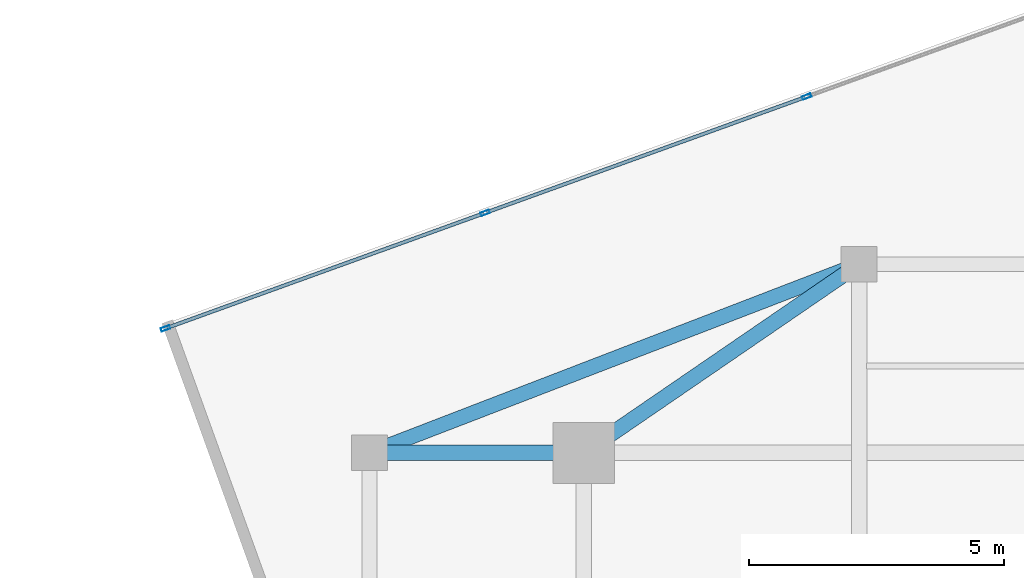
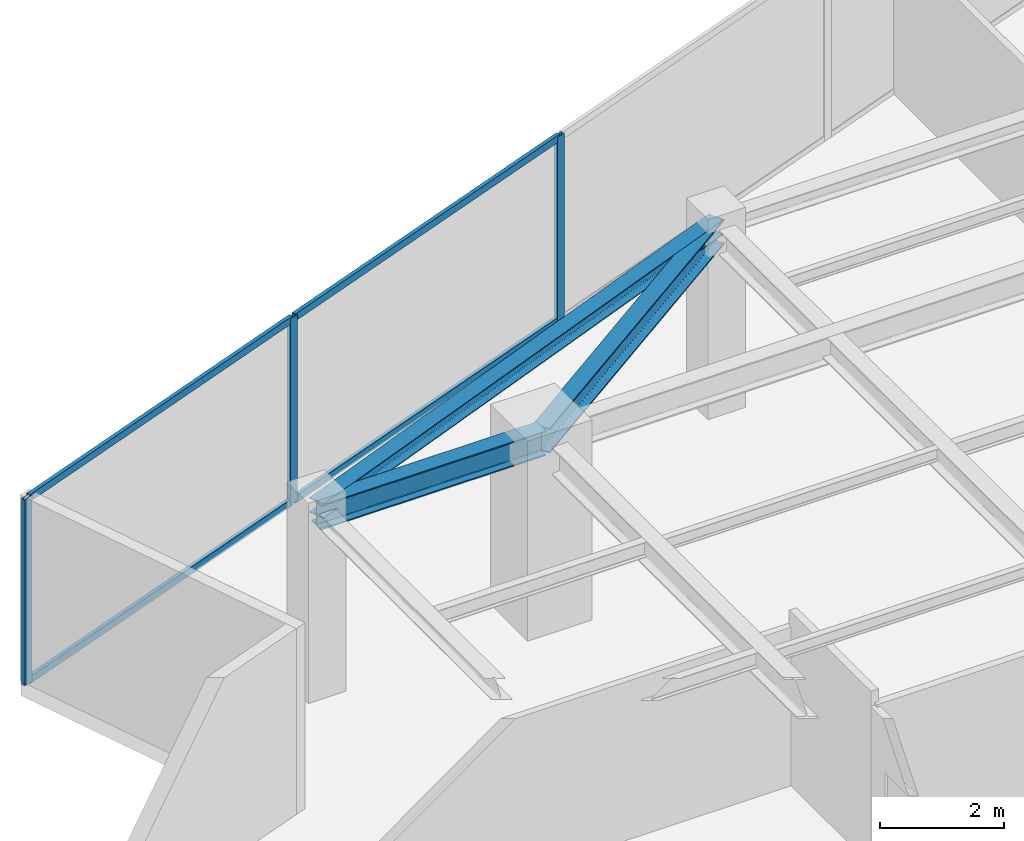
# One storey, part 13 of 21: 7 members, 3 beams, 1 element without a shape of its own.
"""IFC4 building model written with IfcOpenShell, lengths in metres."""

from ifc_helpers import new_model, si_unit, direction, frame, origin, origin_2d, place, context, subcontext, project, spatial, hollow_rectangle, i_section, extrude, source, transform, mapped, material, material_profile, profile_set, type_object, type_shapes, element, aggregate, save


model = new_model("IFC4")

# Units and contexts
model_context = context("Model", 3, precision=1e-05, world=origin(), true_north=direction((0.0, 1.0)))
body_context = subcontext(model_context, "Body", "Model", "MODEL_VIEW")
ifc_project = project(units=[si_unit("LENGTHUNIT", "METRE"), si_unit("AREAUNIT", "SQUARE_METRE"), si_unit("VOLUMEUNIT", "CUBIC_METRE"), si_unit("PLANEANGLEUNIT", "RADIAN"), si_unit("MASSUNIT", "GRAM", prefix="KILO")], contexts=[model_context])

# Site, building, storey
site_placement = place(None, origin())
site = spatial("IfcSite", under=ifc_project, at=site_placement, CompositionType="ELEMENT")
building_placement = place(site_placement, origin())
building = spatial("IfcBuilding", under=site, at=building_placement, Name="Krantzveldt Concourse Tower", CompositionType="ELEMENT")
storey_placement = place(building_placement, frame((0.0, 0.0, 331.64990234375)))
storey = spatial("IfcBuildingStorey", under=building, at=storey_placement, Name="L81", CompositionType="ELEMENT", Elevation=331.64990234375)

# Beams
ifc_material_1 = material(Name="Steel S355JR", Category="steel")
ifc_material_profile_1 = material_profile(ifc_material_1, i_section(OverallWidth=0.300048828125, OverallDepth=0.489990234375, WebThickness=0.011962890625, FlangeThickness=0.02294921875, FilletRadius=0.027099609375, at=origin_2d()), Name="Steel S355JR", Category="steel")
ifc_profile_set_1 = profile_set([ifc_material_profile_1], Name="Steel S355JR - HEA 500")
beam_type_1 = type_object("IfcBeamType", Name="BM-B-HEA500", PredefinedType="BEAM", material=ifc_profile_set_1)
shared_shape_1 = source(origin(), body_context, "Body", "SweptSolid", [
    extrude(i_section(OverallWidth=0.300048828125, OverallDepth=0.489990234375, WebThickness=0.011962890625, FlangeThickness=0.02294921875, FilletRadius=0.027099609375, at=origin_2d()), origin(), (0.0, 0.0, 1.0), 4.199951171875),
])
beam_1_placement = place(storey_placement, frame((21.0, 37.5, 3.425048828125), z_axis=(1.0, 0.0, 0.0), x_axis=(0.0, 1.0, 0.0)))
element("IfcBeam", 1, at=beam_1_placement, inside=storey, type_object=beam_type_1, Name="L81 Tower Girder BR-RL3", PredefinedType="BEAM", context=body_context, shape_type="MappedRepresentation", body=[
    mapped(shared_shape_1, transform((0.0, 0.0, 0.0), x_axis=(1.0, 0.0, 0.0), y_axis=(0.0, 1.0, 0.0), z_axis=(0.0, 0.0, 1.0), scale=1.0)),
])
shared_shape_2 = source(origin(), body_context, "Body", "SweptSolid", [
    extrude(i_section(OverallWidth=0.300048828125, OverallDepth=0.489990234375, WebThickness=0.011962890625, FlangeThickness=0.02294921875, FilletRadius=0.027099609375, at=origin_2d()), origin(), (0.0, 0.0, 1.0), 6.546142578125),
])
type_shapes(beam_type_1, [shared_shape_1, shared_shape_2])
beam_2_placement = place(storey_placement, frame((25.199951171875, 37.5, 3.425048828125), z_axis=(0.824942999484, 0.565215930068, 0.0), x_axis=(-0.565215930068, 0.824942999484, 0.0)))
element("IfcBeam", 2, at=beam_2_placement, inside=storey, type_object=beam_type_1, Name="L81 Tower Girder BR-RL4", PredefinedType="BEAM", context=body_context, shape_type="MappedRepresentation", body=[
    mapped(shared_shape_2, transform((0.0, 0.0, 0.0), x_axis=(1.0, 0.0, 0.0), y_axis=(0.0, 1.0, 0.0), z_axis=(0.0, 0.0, 1.0), scale=1.0)),
])
ifc_material_profile_2 = material_profile(ifc_material_1, i_section(OverallWidth=0.2900390625, OverallDepth=0.2900390625, WebThickness=0.008544921875, FlangeThickness=0.013916015625, FilletRadius=0.027099609375, at=origin_2d()), Name="Steel S355JR", Category="steel")
ifc_profile_set_2 = profile_set([ifc_material_profile_2], Name="Steel S355JR - HEA 300")
beam_type_2 = type_object("IfcBeamType", Name="BM-SP-HEA300", PredefinedType="SPANDREL", material=ifc_profile_set_2)
shared_shape_3 = source(origin(), body_context, "Body", "SweptSolid", [
    extrude(i_section(OverallWidth=0.2900390625, OverallDepth=0.2900390625, WebThickness=0.008544921875, FlangeThickness=0.013916015625, FilletRadius=0.027099609375, at=origin_2d()), origin(), (0.0, 0.0, 1.0), 10.288330078125),
])
type_shapes(beam_type_2, [shared_shape_3])
beam_3_placement = place(storey_placement, frame((21.0, 37.5, 3.525146484375), z_axis=(0.933097690408, 0.359622997257, 0.0), x_axis=(-0.359622997257, 0.933097690408, 0.0)))
element("IfcBeam", 3, at=beam_3_placement, inside=storey, type_object=beam_type_2, Name="L81 Tower Girder SP-R03", PredefinedType="SPANDREL", context=body_context, shape_type="MappedRepresentation", body=[
    mapped(shared_shape_3, transform((0.0, 0.0, 0.0), x_axis=(1.0, 0.0, 0.0), y_axis=(0.0, 1.0, 0.0), z_axis=(0.0, 0.0, 1.0), scale=1.0)),
])

# Curtain wall, members
ifc_material_2 = material(Name="Anodised aluminium 6063-T6", Category="aluminium")
curtain_wall_type = type_object("IfcCurtainWallType", Name="CW4", PredefinedType="USERDEFINED", material=ifc_material_2)
curtain_wall_placement = place(storey_placement, origin())
curtain_wall = element("IfcCurtainWall", 4, at=curtain_wall_placement, inside=storey, type_object=curtain_wall_type, Name="CW-L81-F01", ObjectType="UNITISED CURTAIN WALL", PredefinedType="USERDEFINED")
ifc_material_profile_3 = material_profile(ifc_material_2, hollow_rectangle(XDim=0.070068359375, YDim=0.179931640625, WallThickness=0.0048828125, at=origin_2d()), Name="Anodised aluminium 6063-T6", Category="aluminium")
ifc_profile_set_3 = profile_set([ifc_material_profile_3], Name="Anodised aluminium 6063-T6 - ALU-MULL 180x70x5")
member_type_1 = type_object("IfcMemberType", Name="CW-MUL-180", PredefinedType="MULLION", material=ifc_profile_set_3)
shared_shape_4 = source(origin(), body_context, "Body", "SweptSolid", [
    extrude(hollow_rectangle(XDim=0.070068359375, YDim=0.179931640625, WallThickness=0.0048828125, at=origin_2d()), origin(), (0.0, 0.0, 1.0), 3.670166015625),
])
type_shapes(member_type_1, [shared_shape_4])
member_1_placement = place(storey_placement, frame((29.5712890625, 44.483642578125, 0.0), z_axis=(0.0, 0.0, 1.0), x_axis=(0.339969050563, -0.940436624478, 0.0)))
member_1 = element("IfcMember", 5, at=member_1_placement, type_object=member_type_1, Name="CW-Z56 mullion 3", PredefinedType="MULLION", context=body_context, shape_type="MappedRepresentation", body=[
    mapped(shared_shape_4, transform((0.0, 0.0, 0.0), x_axis=(1.0, 0.0, 0.0), y_axis=(0.0, 1.0, 0.0), z_axis=(0.0, 0.0, 1.0), scale=1.0)),
])
member_2_placement = place(storey_placement, frame((23.270263671875, 42.205810546875, 0.0), z_axis=(0.0, 0.0, 1.0), x_axis=(0.339969050563, -0.940436624478, 0.0)))
member_2 = element("IfcMember", 6, at=member_2_placement, type_object=member_type_1, Name="CW-Z56 mullion 4", PredefinedType="MULLION", context=body_context, shape_type="MappedRepresentation", body=[
    mapped(shared_shape_4, transform((0.0, 0.0, 0.0), x_axis=(1.0, 0.0, 0.0), y_axis=(0.0, 1.0, 0.0), z_axis=(0.0, 0.0, 1.0), scale=1.0)),
])
member_3_placement = place(storey_placement, frame((17.002197265625, 39.93994140625, 0.0), z_axis=(0.0, 0.0, 1.0), x_axis=(0.339969050563, -0.940436624478, 0.0)))
member_3 = element("IfcMember", 7, at=member_3_placement, type_object=member_type_1, Name="CW-Z56 mullion 5", PredefinedType="MULLION", context=body_context, shape_type="MappedRepresentation", body=[
    mapped(shared_shape_4, transform((0.0, 0.0, 0.0), x_axis=(1.0, 0.0, 0.0), y_axis=(0.0, 1.0, 0.0), z_axis=(0.0, 0.0, 1.0), scale=1.0)),
])
ifc_material_profile_4 = material_profile(ifc_material_2, hollow_rectangle(XDim=0.070068359375, YDim=0.139892578125, WallThickness=0.0048828125, at=origin_2d()), Name="Anodised aluminium 6063-T6", Category="aluminium")
ifc_profile_set_4 = profile_set([ifc_material_profile_4], Name="Anodised aluminium 6063-T6 - ALU-TRAN 140x70x5")
member_type_2 = type_object("IfcMemberType", Name="CW-TRN-150", PredefinedType="USERDEFINED", material=ifc_profile_set_4)
shared_shape_5 = source(origin(), body_context, "Body", "SweptSolid", [
    extrude(hollow_rectangle(XDim=0.070068359375, YDim=0.139892578125, WallThickness=0.0048828125, at=origin_2d()), origin(), (0.0, 0.0, 1.0), 6.594970703125),
])
member_4_placement = place(storey_placement, frame((23.2373046875, 42.19384765625, 0.03515625), z_axis=(-0.940443473785, -0.339950103124, 0.0), x_axis=(0.339950103124, -0.940443473785, 0.0)))
member_4 = element("IfcMember", 8, at=member_4_placement, type_object=member_type_2, Name="CW-Z56 transom 4.1", ObjectType="TRANSOM", PredefinedType="USERDEFINED", context=body_context, shape_type="MappedRepresentation", body=[
    mapped(shared_shape_5, transform((0.0, 0.0, 0.0), x_axis=(1.0, 0.0, 0.0), y_axis=(0.0, 1.0, 0.0), z_axis=(0.0, 0.0, 1.0), scale=1.0)),
])
member_5_placement = place(storey_placement, frame((23.2373046875, 42.19384765625, 3.635009765625), z_axis=(-0.940443473785, -0.339950103124, 0.0), x_axis=(0.339950103124, -0.940443473785, 0.0)))
member_5 = element("IfcMember", 9, at=member_5_placement, type_object=member_type_2, Name="CW-Z56 transom 4.2", ObjectType="TRANSOM", PredefinedType="USERDEFINED", context=body_context, shape_type="MappedRepresentation", body=[
    mapped(shared_shape_5, transform((0.0, 0.0, 0.0), x_axis=(1.0, 0.0, 0.0), y_axis=(0.0, 1.0, 0.0), z_axis=(0.0, 0.0, 1.0), scale=1.0)),
])
shared_shape_6 = source(origin(), body_context, "Body", "SweptSolid", [
    extrude(hollow_rectangle(XDim=0.070068359375, YDim=0.139892578125, WallThickness=0.0048828125, at=origin_2d()), origin(), (0.0, 0.0, 1.0), 6.6298828125),
])
type_shapes(member_type_2, [shared_shape_5, shared_shape_6])
member_6_placement = place(storey_placement, frame((29.538330078125, 44.4716796875, 0.03515625), z_axis=(-0.940441114499, -0.339956629823, 0.0), x_axis=(0.339956629823, -0.940441114499, 0.0)))
member_6 = element("IfcMember", 10, at=member_6_placement, type_object=member_type_2, Name="CW-Z56 transom 3.1", ObjectType="TRANSOM", PredefinedType="USERDEFINED", context=body_context, shape_type="MappedRepresentation", body=[
    mapped(shared_shape_6, transform((0.0, 0.0, 0.0), x_axis=(1.0, 0.0, 0.0), y_axis=(0.0, 1.0, 0.0), z_axis=(0.0, 0.0, 1.0), scale=1.0)),
])
member_7_placement = place(storey_placement, frame((29.538330078125, 44.4716796875, 3.635009765625), z_axis=(-0.940441114499, -0.339956629823, 0.0), x_axis=(0.339956629823, -0.940441114499, 0.0)))
member_7 = element("IfcMember", 11, at=member_7_placement, type_object=member_type_2, Name="CW-Z56 transom 3.2", ObjectType="TRANSOM", PredefinedType="USERDEFINED", context=body_context, shape_type="MappedRepresentation", body=[
    mapped(shared_shape_6, transform((0.0, 0.0, 0.0), x_axis=(1.0, 0.0, 0.0), y_axis=(0.0, 1.0, 0.0), z_axis=(0.0, 0.0, 1.0), scale=1.0)),
])
aggregate(curtain_wall, [member_1, member_2, member_3, member_6, member_7, member_4, member_5])

save(model, "model.ifc")
